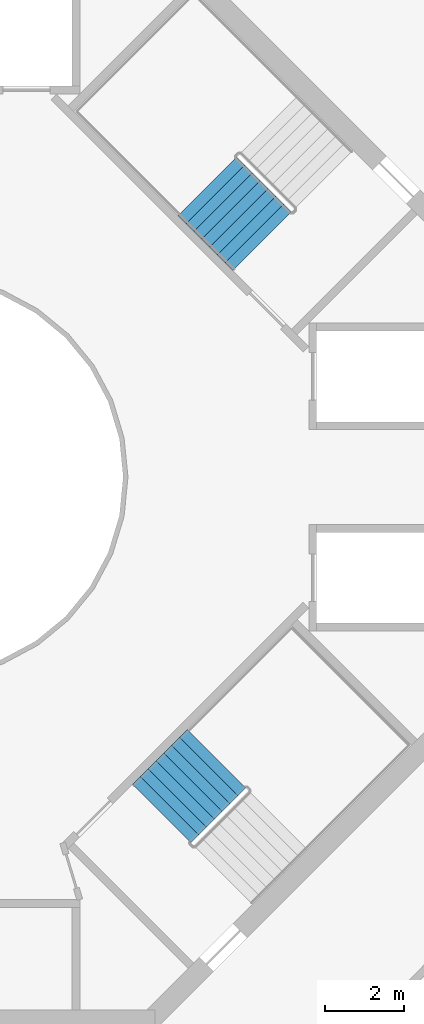
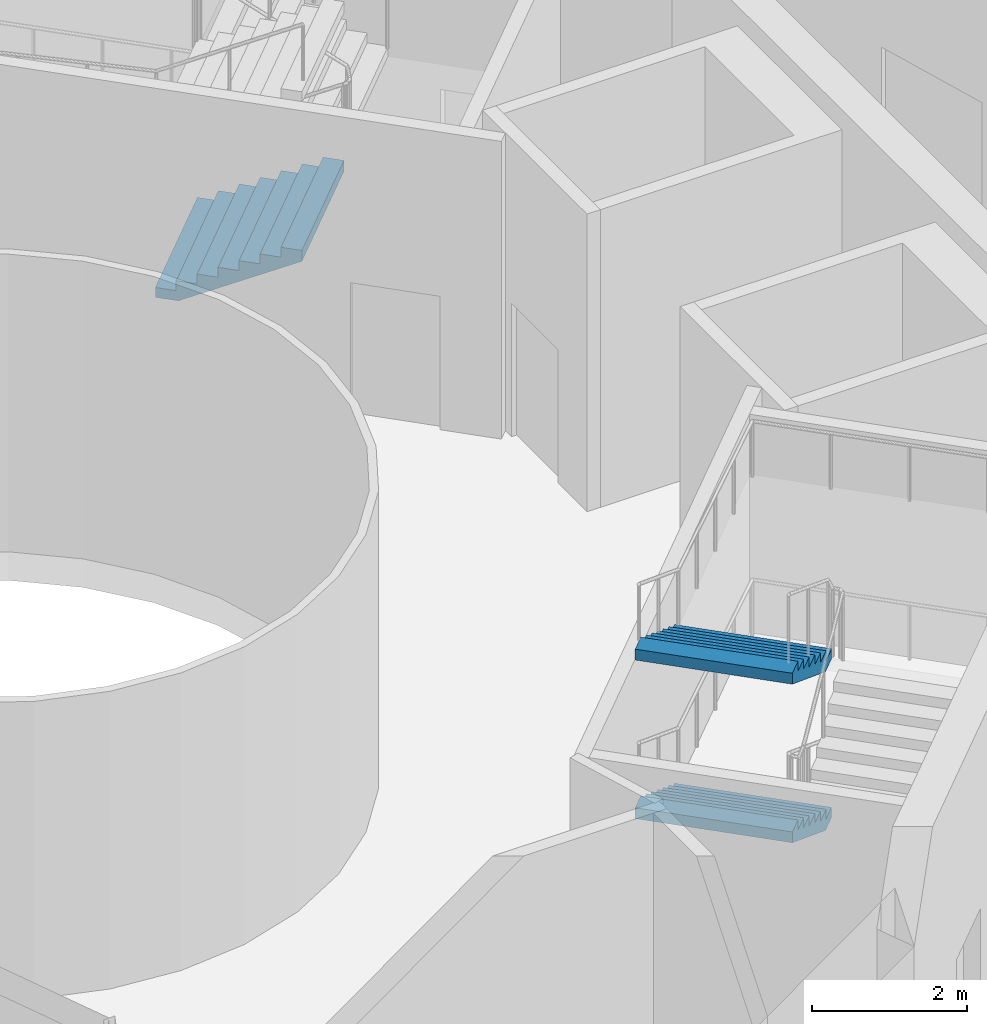
# One storey, part 14 of 17: 3 stair flights, 2 elements without a shape of their own.
"""IFC4 building model written with IfcOpenShell, lengths in metres."""

from ifc_helpers import new_model, si_unit, direction, frame, origin, place, context, subcontext, project, spatial, triangles, material, type_object, element, aggregate, save


model = new_model("IFC4")

# Units and contexts
model_context = context("Model", 3, precision=1e-05, world=origin(), true_north=direction((0.0, 1.0)))
body_context = subcontext(model_context, "Body", "Model", "MODEL_VIEW")
ifc_project = project(units=[si_unit("LENGTHUNIT", "METRE"), si_unit("AREAUNIT", "SQUARE_METRE"), si_unit("VOLUMEUNIT", "CUBIC_METRE"), si_unit("PLANEANGLEUNIT", "RADIAN"), si_unit("MASSUNIT", "GRAM", prefix="KILO")], contexts=[model_context])

# Site, building, storey
site_placement = place(None, origin())
site = spatial("IfcSite", under=ifc_project, at=site_placement, CompositionType="ELEMENT")
building_placement = place(site_placement, origin())
building = spatial("IfcBuilding", under=site, at=building_placement, Name="Verdalira Terraces Hotel", CompositionType="ELEMENT")
storey_placement = place(building_placement, frame((0.0, 0.0, 222.0)))
storey = spatial("IfcBuildingStorey", under=building, at=storey_placement, Name="L54", CompositionType="ELEMENT", Elevation=222.0)

# Stair, stair flight
ifc_material_1 = material(Name="Concrete C40", Category="concrete")
stair_type = type_object("IfcStairType", Name="Core stair 32 risers 2100 mm wide", PredefinedType="HALF_TURN_STAIR", material=ifc_material_1)
stair_1_placement = place(storey_placement, origin())
stair_1 = element("IfcStair", 1, at=stair_1_placement, inside=storey, type_object=stair_type, Name="L54 Exit stair ST1", PredefinedType="HALF_TURN_STAIR")
ifc_material_2 = material(Name="Concrete C40", Category="concrete")
stair_flight_type = type_object("IfcStairFlightType", Name="Core stair flight 32 risers 2100 mm wide", PredefinedType="STRAIGHT", material=ifc_material_2)
stair_flight_1_placement = place(storey_placement, frame((7.134766, 7.361084, 1.25), z_axis=(0.0, 0.0, 1.0), x_axis=(0.707106781, -0.707106781, 0.0)))
stair_flight_1 = element("IfcStairFlight", 2, at=stair_flight_1_placement, type_object=stair_flight_type, Name="ST1 flight 2", NumberOfRisers=8, NumberOfTreads=7, PredefinedType="STRAIGHT", RiserHeight=0.15625, TreadLength=0.28, context=body_context, shape_type="Tessellation", body=[
    triangles([(0.0, 1.050049, 0.0), (0.307617, 1.050049, 0.0), (1.959961, 1.050049, 0.922119), (0.0, -1.050049, 0.0), (0.307617, -1.050049, 0.0), (1.959961, -1.050049, 0.922119), (1.959961, 1.050049, 1.09375), (1.679932, 1.050049, 1.09375), (1.959961, -1.050049, 1.09375), (1.679932, -1.050049, 1.09375), (1.679932, 1.050049, 0.9375), (1.679932, -1.050049, 0.9375), (1.399902, 1.050049, 0.9375), (1.399902, -1.050049, 0.9375), (1.399902, 1.050049, 0.78125), (1.399902, -1.050049, 0.78125), (1.120117, 1.050049, 0.78125), (1.120117, 1.050049, 0.625), (1.120117, -1.050049, 0.78125), (1.120117, -1.050049, 0.625), (0.840088, 1.050049, 0.625), (0.840088, 1.050049, 0.46875), (0.840088, -1.050049, 0.625), (0.840088, -1.050049, 0.46875), (0.560059, 1.050049, 0.46875), (0.560059, 1.050049, 0.3125), (0.560059, -1.050049, 0.46875), (0.560059, -1.050049, 0.3125), (0.280029, 1.050049, 0.3125), (0.280029, 1.050049, 0.15625), (0.280029, -1.050049, 0.3125), (0.280029, -1.050049, 0.15625), (0.0, 1.050049, 0.15625), (0.0, -1.050049, 0.15625), (0.0, -0.984421, 0.0), (0.0, -0.984421, 0.15625), (0.0, -0.918793, 0.0), (0.0, -0.918793, 0.15625), (0.0, -0.853165, 0.0), (0.0, -0.853165, 0.15625), (0.0, -0.787537, 0.0), (0.0, -0.787537, 0.15625), (0.0, -0.721909, 0.0), (0.0, -0.721909, 0.15625), (0.0, -0.656281, 0.0), (0.0, -0.656281, 0.15625), (0.0, -0.590652, 0.0), (0.0, -0.590652, 0.15625), (0.0, -0.525024, 0.0), (0.0, -0.525024, 0.15625), (0.0, -0.459396, 0.0), (0.0, -0.459396, 0.15625), (0.0, -0.393768, 0.0), (0.0, -0.393768, 0.15625), (0.0, -0.32814, 0.0), (0.0, -0.32814, 0.15625), (0.0, -0.262512, 0.0), (0.0, -0.262512, 0.15625), (0.0, -0.196884, 0.0), (0.0, -0.196884, 0.15625), (0.0, -0.131256, 0.0), (0.0, -0.131256, 0.15625), (0.0, -0.065628, 0.0), (0.0, -0.065628, 0.15625), (0.0, 0.0, 0.0), (0.0, 0.0, 0.15625), (0.0, 0.065628, 0.0), (0.0, 0.065628, 0.15625), (0.0, 0.131256, 0.0), (0.0, 0.131256, 0.15625), (0.0, 0.196884, 0.0), (0.0, 0.196884, 0.15625), (0.0, 0.262512, 0.0), (0.0, 0.262512, 0.15625), (0.0, 0.32814, 0.0), (0.0, 0.32814, 0.15625), (0.0, 0.393768, 0.0), (0.0, 0.393768, 0.15625), (0.0, 0.459396, 0.0), (0.0, 0.459396, 0.15625), (0.0, 0.525024, 0.0), (0.0, 0.525024, 0.15625), (0.0, 0.590652, 0.0), (0.0, 0.590652, 0.15625), (0.0, 0.656281, 0.0), (0.0, 0.656281, 0.15625), (0.0, 0.721909, 0.0), (0.0, 0.721909, 0.15625), (0.0, 0.787537, 0.0), (0.0, 0.787537, 0.15625), (0.0, 0.853165, 0.0), (0.0, 0.853165, 0.15625), (0.0, 0.918793, 0.0), (0.0, 0.918793, 0.15625), (0.0, 0.984421, 0.0), (0.0, 0.984421, 0.15625), (1.959961, -0.984421, 1.09375), (1.959961, -0.918793, 1.09375), (1.959961, -0.853165, 1.09375), (1.959961, -0.787537, 1.09375), (1.959961, -0.721909, 1.09375), (1.959961, -0.656281, 1.09375), (1.959961, -0.590652, 1.09375), (1.959961, -0.525024, 1.09375), (1.959961, -0.459396, 1.09375), (1.959961, -0.393768, 1.09375), (1.959961, -0.32814, 1.09375), (1.959961, -0.262512, 1.09375), (1.959961, -0.196884, 1.09375), (1.959961, -0.131256, 1.09375), (1.959961, -0.065628, 1.09375), (1.959961, 0.0, 1.09375), (1.959961, 0.065628, 1.09375), (1.959961, 0.131256, 1.09375), (1.959961, 0.196884, 1.09375), (1.959961, 0.262512, 1.09375), (1.959961, 0.32814, 1.09375), (1.959961, 0.393768, 1.09375), (1.959961, 0.459396, 1.09375), (1.959961, 0.525024, 1.09375), (1.959961, 0.590652, 1.09375), (1.959961, 0.656281, 1.09375), (1.959961, 0.721909, 1.09375), (1.959961, 0.787537, 1.09375), (1.959961, 0.853165, 1.09375), (1.959961, 0.918793, 1.09375), (1.959961, 0.984421, 1.09375), (1.959961, -0.984421, 0.922119), (1.959961, -0.918793, 0.922119), (1.959961, -0.853165, 0.922119), (1.959961, -0.787537, 0.922119), (1.959961, -0.721909, 0.922119), (1.959961, -0.656281, 0.922119), (1.959961, -0.590652, 0.922119), (1.959961, -0.525024, 0.922119), (1.959961, -0.459396, 0.922119), (1.959961, -0.393768, 0.922119), (1.959961, -0.32814, 0.922119), (1.959961, -0.262512, 0.922119), (1.959961, -0.196884, 0.922119), (1.959961, -0.131256, 0.922119), (1.959961, -0.065628, 0.922119), (1.959961, 0.0, 0.922119), (1.959961, 0.065628, 0.922119), (1.959961, 0.131256, 0.922119), (1.959961, 0.196884, 0.922119), (1.959961, 0.262512, 0.922119), (1.959961, 0.32814, 0.922119), (1.959961, 0.393768, 0.922119), (1.959961, 0.459396, 0.922119), (1.959961, 0.525024, 0.922119), (1.959961, 0.590652, 0.922119), (1.959961, 0.656281, 0.922119), (1.959961, 0.721909, 0.922119), (1.959961, 0.787537, 0.922119), (1.959961, 0.853165, 0.922119), (1.959961, 0.918793, 0.922119), (1.959961, 0.984421, 0.922119)], [[1, 3, 2], [4, 5, 6], [3, 8, 7], [6, 9, 10], [3, 11, 8], [6, 10, 12], [3, 13, 11], [6, 12, 14], [3, 15, 13], [6, 14, 16], [15, 18, 17], [16, 19, 20], [3, 18, 15], [6, 16, 20], [18, 22, 21], [20, 23, 24], [3, 22, 18], [6, 20, 24], [22, 26, 25], [24, 27, 28], [3, 26, 22], [6, 24, 28], [26, 30, 29], [28, 31, 32], [3, 30, 26], [6, 28, 32], [1, 30, 3], [4, 6, 32], [30, 1, 33], [32, 34, 4], [4, 36, 35], [4, 34, 36], [35, 38, 37], [35, 36, 38], [37, 40, 39], [37, 38, 40], [39, 42, 41], [39, 40, 42], [41, 44, 43], [41, 42, 44], [43, 46, 45], [43, 44, 46], [45, 48, 47], [45, 46, 48], [47, 50, 49], [47, 48, 50], [49, 52, 51], [49, 50, 52], [51, 54, 53], [51, 52, 54], [53, 56, 55], [53, 54, 56], [55, 58, 57], [55, 56, 58], [57, 60, 59], [57, 58, 60], [59, 62, 61], [59, 60, 62], [61, 64, 63], [61, 62, 64], [63, 66, 65], [63, 64, 66], [65, 68, 67], [65, 66, 68], [67, 70, 69], [67, 68, 70], [69, 72, 71], [69, 70, 72], [71, 74, 73], [71, 72, 74], [73, 76, 75], [73, 74, 76], [75, 78, 77], [75, 76, 78], [77, 80, 79], [77, 78, 80], [79, 82, 81], [79, 80, 82], [81, 84, 83], [81, 82, 84], [83, 86, 85], [83, 84, 86], [85, 88, 87], [85, 86, 88], [87, 90, 89], [87, 88, 90], [89, 92, 91], [89, 90, 92], [91, 94, 93], [91, 92, 94], [93, 96, 95], [93, 94, 96], [95, 33, 1], [95, 96, 33], [34, 32, 36], [36, 32, 38], [38, 32, 40], [40, 32, 42], [42, 32, 44], [44, 32, 46], [46, 32, 48], [48, 32, 50], [50, 32, 52], [52, 32, 54], [54, 32, 56], [56, 32, 58], [58, 32, 60], [60, 32, 62], [62, 32, 64], [64, 32, 66], [66, 32, 68], [68, 32, 70], [70, 32, 72], [72, 32, 74], [74, 32, 76], [76, 32, 78], [78, 32, 80], [80, 32, 82], [82, 32, 84], [84, 32, 86], [86, 32, 88], [88, 32, 90], [90, 32, 92], [92, 32, 94], [94, 32, 96], [96, 32, 33], [33, 32, 30], [32, 29, 30], [32, 31, 29], [31, 26, 29], [31, 28, 26], [28, 25, 26], [28, 27, 25], [27, 22, 25], [27, 24, 22], [24, 21, 22], [24, 23, 21], [23, 18, 21], [23, 20, 18], [20, 17, 18], [20, 19, 17], [19, 15, 17], [19, 16, 15], [16, 13, 15], [16, 14, 13], [14, 11, 13], [14, 12, 11], [12, 8, 11], [12, 10, 8], [9, 97, 10], [97, 98, 10], [98, 99, 10], [99, 100, 10], [100, 101, 10], [101, 102, 10], [102, 103, 10], [103, 104, 10], [104, 105, 10], [105, 106, 10], [106, 107, 10], [107, 108, 10], [108, 109, 10], [109, 110, 10], [110, 111, 10], [111, 112, 10], [112, 113, 10], [113, 114, 10], [114, 115, 10], [115, 116, 10], [116, 117, 10], [117, 118, 10], [118, 119, 10], [119, 120, 10], [120, 121, 10], [121, 122, 10], [122, 123, 10], [123, 124, 10], [124, 125, 10], [125, 126, 10], [126, 127, 10], [127, 7, 10], [7, 8, 10], [9, 128, 97], [9, 6, 128], [97, 129, 98], [97, 128, 129], [98, 130, 99], [98, 129, 130], [99, 131, 100], [99, 130, 131], [100, 132, 101], [100, 131, 132], [101, 133, 102], [101, 132, 133], [102, 134, 103], [102, 133, 134], [103, 135, 104], [103, 134, 135], [104, 136, 105], [104, 135, 136], [105, 137, 106], [105, 136, 137], [106, 138, 107], [106, 137, 138], [107, 139, 108], [107, 138, 139], [108, 140, 109], [108, 139, 140], [109, 141, 110], [109, 140, 141], [110, 142, 111], [110, 141, 142], [111, 143, 112], [111, 142, 143], [112, 144, 113], [112, 143, 144], [113, 145, 114], [113, 144, 145], [114, 146, 115], [114, 145, 146], [115, 147, 116], [115, 146, 147], [116, 148, 117], [116, 147, 148], [117, 149, 118], [117, 148, 149], [118, 150, 119], [118, 149, 150], [119, 151, 120], [119, 150, 151], [120, 152, 121], [120, 151, 152], [121, 153, 122], [121, 152, 153], [122, 154, 123], [122, 153, 154], [123, 155, 124], [123, 154, 155], [124, 156, 125], [124, 155, 156], [125, 157, 126], [125, 156, 157], [126, 158, 127], [126, 157, 158], [127, 3, 7], [127, 158, 3], [6, 5, 128], [128, 5, 129], [129, 5, 130], [130, 5, 131], [131, 5, 132], [132, 5, 133], [133, 5, 134], [134, 5, 135], [135, 5, 136], [136, 5, 137], [137, 5, 138], [138, 5, 139], [139, 5, 140], [140, 5, 141], [141, 5, 142], [142, 5, 143], [143, 5, 144], [144, 5, 145], [145, 5, 146], [146, 5, 147], [147, 5, 148], [148, 5, 149], [149, 5, 150], [150, 5, 151], [151, 5, 152], [152, 5, 153], [153, 5, 154], [154, 5, 155], [155, 5, 156], [156, 5, 157], [157, 5, 158], [158, 5, 3], [3, 5, 2], [4, 35, 5], [35, 37, 5], [37, 39, 5], [39, 41, 5], [41, 43, 5], [43, 45, 5], [45, 47, 5], [47, 49, 5], [49, 51, 5], [51, 53, 5], [53, 55, 5], [55, 57, 5], [57, 59, 5], [59, 61, 5], [61, 63, 5], [63, 65, 5], [65, 67, 5], [67, 69, 5], [69, 71, 5], [71, 73, 5], [73, 75, 5], [75, 77, 5], [77, 79, 5], [79, 81, 5], [81, 83, 5], [83, 85, 5], [85, 87, 5], [87, 89, 5], [89, 91, 5], [91, 93, 5], [93, 95, 5], [95, 1, 5], [1, 2, 5]], closed=True),
])
aggregate(stair_1, [stair_flight_1])

# Stair, stair flights
stair_2_placement = place(storey_placement, origin())
stair_2 = element("IfcStair", 3, at=stair_2_placement, inside=storey, type_object=stair_type, Name="L54 Exit stair ST3", PredefinedType="HALF_TURN_STAIR")
stair_flight_2_placement = place(storey_placement, frame((7.361084, -7.134766, 1.25), z_axis=(0.0, 0.0, 1.0), x_axis=(-0.707106781, -0.707106781, 0.0)))
stair_flight_2 = element("IfcStairFlight", 4, at=stair_flight_2_placement, type_object=stair_flight_type, Name="ST3 flight 2", NumberOfRisers=8, NumberOfTreads=7, PredefinedType="STRAIGHT", RiserHeight=0.15625, TreadLength=0.28, context=body_context, shape_type="Tessellation", body=[
    triangles([(0.0, 1.050049, 0.0), (0.307617, 1.050049, 0.0), (1.959961, 1.050049, 0.922119), (0.0, -1.050049, 0.0), (0.307617, -1.050049, 0.0), (1.959961, -1.050049, 0.922119), (1.959961, 1.050049, 1.09375), (1.679932, 1.050049, 1.09375), (1.959961, -1.050049, 1.09375), (1.679932, -1.050049, 1.09375), (1.679932, 1.050049, 0.9375), (1.679932, -1.050049, 0.9375), (1.399902, 1.050049, 0.9375), (1.399902, -1.050049, 0.9375), (1.399902, 1.050049, 0.78125), (1.399902, -1.050049, 0.78125), (1.120117, 1.050049, 0.78125), (1.120117, 1.050049, 0.625), (1.120117, -1.050049, 0.78125), (1.120117, -1.050049, 0.625), (0.840088, 1.050049, 0.625), (0.840088, 1.050049, 0.46875), (0.840088, -1.050049, 0.625), (0.840088, -1.050049, 0.46875), (0.560059, 1.050049, 0.46875), (0.560059, 1.050049, 0.3125), (0.560059, -1.050049, 0.46875), (0.560059, -1.050049, 0.3125), (0.280029, 1.050049, 0.3125), (0.280029, 1.050049, 0.15625), (0.280029, -1.050049, 0.3125), (0.280029, -1.050049, 0.15625), (0.0, 1.050049, 0.15625), (0.0, -1.050049, 0.15625), (0.0, -0.984421, 0.0), (0.0, -0.984421, 0.15625), (0.0, -0.918793, 0.0), (0.0, -0.918793, 0.15625), (0.0, -0.853165, 0.0), (0.0, -0.853165, 0.15625), (0.0, -0.787537, 0.0), (0.0, -0.787537, 0.15625), (0.0, -0.721909, 0.0), (0.0, -0.721909, 0.15625), (0.0, -0.656281, 0.0), (0.0, -0.656281, 0.15625), (0.0, -0.590652, 0.0), (0.0, -0.590652, 0.15625), (0.0, -0.525024, 0.0), (0.0, -0.525024, 0.15625), (0.0, -0.459396, 0.0), (0.0, -0.459396, 0.15625), (0.0, -0.393768, 0.0), (0.0, -0.393768, 0.15625), (0.0, -0.32814, 0.0), (0.0, -0.32814, 0.15625), (0.0, -0.262512, 0.0), (0.0, -0.262512, 0.15625), (0.0, -0.196884, 0.0), (0.0, -0.196884, 0.15625), (0.0, -0.131256, 0.0), (0.0, -0.131256, 0.15625), (0.0, -0.065628, 0.0), (0.0, -0.065628, 0.15625), (0.0, 0.0, 0.0), (0.0, 0.0, 0.15625), (0.0, 0.065628, 0.0), (0.0, 0.065628, 0.15625), (0.0, 0.131256, 0.0), (0.0, 0.131256, 0.15625), (0.0, 0.196884, 0.0), (0.0, 0.196884, 0.15625), (0.0, 0.262512, 0.0), (0.0, 0.262512, 0.15625), (0.0, 0.32814, 0.0), (0.0, 0.32814, 0.15625), (0.0, 0.393768, 0.0), (0.0, 0.393768, 0.15625), (0.0, 0.459396, 0.0), (0.0, 0.459396, 0.15625), (0.0, 0.525024, 0.0), (0.0, 0.525024, 0.15625), (0.0, 0.590652, 0.0), (0.0, 0.590652, 0.15625), (0.0, 0.656281, 0.0), (0.0, 0.656281, 0.15625), (0.0, 0.721909, 0.0), (0.0, 0.721909, 0.15625), (0.0, 0.787537, 0.0), (0.0, 0.787537, 0.15625), (0.0, 0.853165, 0.0), (0.0, 0.853165, 0.15625), (0.0, 0.918793, 0.0), (0.0, 0.918793, 0.15625), (0.0, 0.984421, 0.0), (0.0, 0.984421, 0.15625), (1.959961, -0.984421, 1.09375), (1.959961, -0.918793, 1.09375), (1.959961, -0.853165, 1.09375), (1.959961, -0.787537, 1.09375), (1.959961, -0.721909, 1.09375), (1.959961, -0.656281, 1.09375), (1.959961, -0.590652, 1.09375), (1.959961, -0.525024, 1.09375), (1.959961, -0.459396, 1.09375), (1.959961, -0.393768, 1.09375), (1.959961, -0.32814, 1.09375), (1.959961, -0.262512, 1.09375), (1.959961, -0.196884, 1.09375), (1.959961, -0.131256, 1.09375), (1.959961, -0.065628, 1.09375), (1.959961, 0.0, 1.09375), (1.959961, 0.065628, 1.09375), (1.959961, 0.131256, 1.09375), (1.959961, 0.196884, 1.09375), (1.959961, 0.262512, 1.09375), (1.959961, 0.32814, 1.09375), (1.959961, 0.393768, 1.09375), (1.959961, 0.459396, 1.09375), (1.959961, 0.525024, 1.09375), (1.959961, 0.590652, 1.09375), (1.959961, 0.656281, 1.09375), (1.959961, 0.721909, 1.09375), (1.959961, 0.787537, 1.09375), (1.959961, 0.853165, 1.09375), (1.959961, 0.918793, 1.09375), (1.959961, 0.984421, 1.09375), (1.959961, -0.984421, 0.922119), (1.959961, -0.918793, 0.922119), (1.959961, -0.853165, 0.922119), (1.959961, -0.787537, 0.922119), (1.959961, -0.721909, 0.922119), (1.959961, -0.656281, 0.922119), (1.959961, -0.590652, 0.922119), (1.959961, -0.525024, 0.922119), (1.959961, -0.459396, 0.922119), (1.959961, -0.393768, 0.922119), (1.959961, -0.32814, 0.922119), (1.959961, -0.262512, 0.922119), (1.959961, -0.196884, 0.922119), (1.959961, -0.131256, 0.922119), (1.959961, -0.065628, 0.922119), (1.959961, 0.0, 0.922119), (1.959961, 0.065628, 0.922119), (1.959961, 0.131256, 0.922119), (1.959961, 0.196884, 0.922119), (1.959961, 0.262512, 0.922119), (1.959961, 0.32814, 0.922119), (1.959961, 0.393768, 0.922119), (1.959961, 0.459396, 0.922119), (1.959961, 0.525024, 0.922119), (1.959961, 0.590652, 0.922119), (1.959961, 0.656281, 0.922119), (1.959961, 0.721909, 0.922119), (1.959961, 0.787537, 0.922119), (1.959961, 0.853165, 0.922119), (1.959961, 0.918793, 0.922119), (1.959961, 0.984421, 0.922119)], [[1, 3, 2], [4, 5, 6], [3, 8, 7], [6, 9, 10], [3, 11, 8], [6, 10, 12], [3, 13, 11], [6, 12, 14], [3, 15, 13], [6, 14, 16], [15, 18, 17], [16, 19, 20], [3, 18, 15], [6, 16, 20], [18, 22, 21], [20, 23, 24], [3, 22, 18], [6, 20, 24], [22, 26, 25], [24, 27, 28], [3, 26, 22], [6, 24, 28], [26, 30, 29], [28, 31, 32], [3, 30, 26], [6, 28, 32], [1, 30, 3], [4, 6, 32], [30, 1, 33], [32, 34, 4], [4, 36, 35], [4, 34, 36], [35, 38, 37], [35, 36, 38], [37, 40, 39], [37, 38, 40], [39, 42, 41], [39, 40, 42], [41, 44, 43], [41, 42, 44], [43, 46, 45], [43, 44, 46], [45, 48, 47], [45, 46, 48], [47, 50, 49], [47, 48, 50], [49, 52, 51], [49, 50, 52], [51, 54, 53], [51, 52, 54], [53, 56, 55], [53, 54, 56], [55, 58, 57], [55, 56, 58], [57, 60, 59], [57, 58, 60], [59, 62, 61], [59, 60, 62], [61, 64, 63], [61, 62, 64], [63, 66, 65], [63, 64, 66], [65, 68, 67], [65, 66, 68], [67, 70, 69], [67, 68, 70], [69, 72, 71], [69, 70, 72], [71, 74, 73], [71, 72, 74], [73, 76, 75], [73, 74, 76], [75, 78, 77], [75, 76, 78], [77, 80, 79], [77, 78, 80], [79, 82, 81], [79, 80, 82], [81, 84, 83], [81, 82, 84], [83, 86, 85], [83, 84, 86], [85, 88, 87], [85, 86, 88], [87, 90, 89], [87, 88, 90], [89, 92, 91], [89, 90, 92], [91, 94, 93], [91, 92, 94], [93, 96, 95], [93, 94, 96], [95, 33, 1], [95, 96, 33], [34, 32, 36], [36, 32, 38], [38, 32, 40], [40, 32, 42], [42, 32, 44], [44, 32, 46], [46, 32, 48], [48, 32, 50], [50, 32, 52], [52, 32, 54], [54, 32, 56], [56, 32, 58], [58, 32, 60], [60, 32, 62], [62, 32, 64], [64, 32, 66], [66, 32, 68], [68, 32, 70], [70, 32, 72], [72, 32, 74], [74, 32, 76], [76, 32, 78], [78, 32, 80], [80, 32, 82], [82, 32, 84], [84, 32, 86], [86, 32, 88], [88, 32, 90], [90, 32, 92], [92, 32, 94], [94, 32, 96], [96, 32, 33], [33, 32, 30], [32, 29, 30], [32, 31, 29], [31, 26, 29], [31, 28, 26], [28, 25, 26], [28, 27, 25], [27, 22, 25], [27, 24, 22], [24, 21, 22], [24, 23, 21], [23, 18, 21], [23, 20, 18], [20, 17, 18], [20, 19, 17], [19, 15, 17], [19, 16, 15], [16, 13, 15], [16, 14, 13], [14, 11, 13], [14, 12, 11], [12, 8, 11], [12, 10, 8], [9, 97, 10], [97, 98, 10], [98, 99, 10], [99, 100, 10], [100, 101, 10], [101, 102, 10], [102, 103, 10], [103, 104, 10], [104, 105, 10], [105, 106, 10], [106, 107, 10], [107, 108, 10], [108, 109, 10], [109, 110, 10], [110, 111, 10], [111, 112, 10], [112, 113, 10], [113, 114, 10], [114, 115, 10], [115, 116, 10], [116, 117, 10], [117, 118, 10], [118, 119, 10], [119, 120, 10], [120, 121, 10], [121, 122, 10], [122, 123, 10], [123, 124, 10], [124, 125, 10], [125, 126, 10], [126, 127, 10], [127, 7, 10], [7, 8, 10], [9, 128, 97], [9, 6, 128], [97, 129, 98], [97, 128, 129], [98, 130, 99], [98, 129, 130], [99, 131, 100], [99, 130, 131], [100, 132, 101], [100, 131, 132], [101, 133, 102], [101, 132, 133], [102, 134, 103], [102, 133, 134], [103, 135, 104], [103, 134, 135], [104, 136, 105], [104, 135, 136], [105, 137, 106], [105, 136, 137], [106, 138, 107], [106, 137, 138], [107, 139, 108], [107, 138, 139], [108, 140, 109], [108, 139, 140], [109, 141, 110], [109, 140, 141], [110, 142, 111], [110, 141, 142], [111, 143, 112], [111, 142, 143], [112, 144, 113], [112, 143, 144], [113, 145, 114], [113, 144, 145], [114, 146, 115], [114, 145, 146], [115, 147, 116], [115, 146, 147], [116, 148, 117], [116, 147, 148], [117, 149, 118], [117, 148, 149], [118, 150, 119], [118, 149, 150], [119, 151, 120], [119, 150, 151], [120, 152, 121], [120, 151, 152], [121, 153, 122], [121, 152, 153], [122, 154, 123], [122, 153, 154], [123, 155, 124], [123, 154, 155], [124, 156, 125], [124, 155, 156], [125, 157, 126], [125, 156, 157], [126, 158, 127], [126, 157, 158], [127, 3, 7], [127, 158, 3], [6, 5, 128], [128, 5, 129], [129, 5, 130], [130, 5, 131], [131, 5, 132], [132, 5, 133], [133, 5, 134], [134, 5, 135], [135, 5, 136], [136, 5, 137], [137, 5, 138], [138, 5, 139], [139, 5, 140], [140, 5, 141], [141, 5, 142], [142, 5, 143], [143, 5, 144], [144, 5, 145], [145, 5, 146], [146, 5, 147], [147, 5, 148], [148, 5, 149], [149, 5, 150], [150, 5, 151], [151, 5, 152], [152, 5, 153], [153, 5, 154], [154, 5, 155], [155, 5, 156], [156, 5, 157], [157, 5, 158], [158, 5, 3], [3, 5, 2], [4, 35, 5], [35, 37, 5], [37, 39, 5], [39, 41, 5], [41, 43, 5], [43, 45, 5], [45, 47, 5], [47, 49, 5], [49, 51, 5], [51, 53, 5], [53, 55, 5], [55, 57, 5], [57, 59, 5], [59, 61, 5], [61, 63, 5], [63, 65, 5], [65, 67, 5], [67, 69, 5], [69, 71, 5], [71, 73, 5], [73, 75, 5], [75, 77, 5], [77, 79, 5], [79, 81, 5], [81, 83, 5], [83, 85, 5], [85, 87, 5], [87, 89, 5], [89, 91, 5], [91, 93, 5], [93, 95, 5], [95, 1, 5], [1, 2, 5]], closed=True),
])
stair_flight_3_placement = place(storey_placement, frame((7.361084, -7.134766, 3.75), z_axis=(0.0, 0.0, 1.0), x_axis=(-0.707106781, -0.707106781, 0.0)))
stair_flight_3 = element("IfcStairFlight", 5, at=stair_flight_3_placement, type_object=stair_flight_type, Name="ST3 flight 4", NumberOfRisers=8, NumberOfTreads=7, PredefinedType="STRAIGHT", RiserHeight=0.15625, TreadLength=0.28, context=body_context, shape_type="Tessellation", body=[
    triangles([(0.0, 1.050049, 0.0), (0.307617, 1.050049, 0.0), (1.959961, 1.050049, 0.922119), (0.0, -1.050049, 0.0), (0.307617, -1.050049, 0.0), (1.959961, -1.050049, 0.922119), (1.959961, 1.050049, 1.09375), (1.679932, 1.050049, 1.09375), (1.959961, -1.050049, 1.09375), (1.679932, -1.050049, 1.09375), (1.679932, 1.050049, 0.9375), (1.679932, -1.050049, 0.9375), (1.399902, 1.050049, 0.9375), (1.399902, -1.050049, 0.9375), (1.399902, 1.050049, 0.78125), (1.399902, -1.050049, 0.78125), (1.120117, 1.050049, 0.78125), (1.120117, 1.050049, 0.625), (1.120117, -1.050049, 0.78125), (1.120117, -1.050049, 0.625), (0.840088, 1.050049, 0.625), (0.840088, 1.050049, 0.46875), (0.840088, -1.050049, 0.625), (0.840088, -1.050049, 0.46875), (0.560059, 1.050049, 0.46875), (0.560059, 1.050049, 0.3125), (0.560059, -1.050049, 0.46875), (0.560059, -1.050049, 0.3125), (0.280029, 1.050049, 0.3125), (0.280029, 1.050049, 0.15625), (0.280029, -1.050049, 0.3125), (0.280029, -1.050049, 0.15625), (0.0, 1.050049, 0.15625), (0.0, -1.050049, 0.15625), (0.0, -0.984421, 0.0), (0.0, -0.984421, 0.15625), (0.0, -0.918793, 0.0), (0.0, -0.918793, 0.15625), (0.0, -0.853165, 0.0), (0.0, -0.853165, 0.15625), (0.0, -0.787537, 0.0), (0.0, -0.787537, 0.15625), (0.0, -0.721909, 0.0), (0.0, -0.721909, 0.15625), (0.0, -0.656281, 0.0), (0.0, -0.656281, 0.15625), (0.0, -0.590652, 0.0), (0.0, -0.590652, 0.15625), (0.0, -0.525024, 0.0), (0.0, -0.525024, 0.15625), (0.0, -0.459396, 0.0), (0.0, -0.459396, 0.15625), (0.0, -0.393768, 0.0), (0.0, -0.393768, 0.15625), (0.0, -0.32814, 0.0), (0.0, -0.32814, 0.15625), (0.0, -0.262512, 0.0), (0.0, -0.262512, 0.15625), (0.0, -0.196884, 0.0), (0.0, -0.196884, 0.15625), (0.0, -0.131256, 0.0), (0.0, -0.131256, 0.15625), (0.0, -0.065628, 0.0), (0.0, -0.065628, 0.15625), (0.0, 0.0, 0.0), (0.0, 0.0, 0.15625), (0.0, 0.065628, 0.0), (0.0, 0.065628, 0.15625), (0.0, 0.131256, 0.0), (0.0, 0.131256, 0.15625), (0.0, 0.196884, 0.0), (0.0, 0.196884, 0.15625), (0.0, 0.262512, 0.0), (0.0, 0.262512, 0.15625), (0.0, 0.32814, 0.0), (0.0, 0.32814, 0.15625), (0.0, 0.393768, 0.0), (0.0, 0.393768, 0.15625), (0.0, 0.459396, 0.0), (0.0, 0.459396, 0.15625), (0.0, 0.525024, 0.0), (0.0, 0.525024, 0.15625), (0.0, 0.590652, 0.0), (0.0, 0.590652, 0.15625), (0.0, 0.656281, 0.0), (0.0, 0.656281, 0.15625), (0.0, 0.721909, 0.0), (0.0, 0.721909, 0.15625), (0.0, 0.787537, 0.0), (0.0, 0.787537, 0.15625), (0.0, 0.853165, 0.0), (0.0, 0.853165, 0.15625), (0.0, 0.918793, 0.0), (0.0, 0.918793, 0.15625), (0.0, 0.984421, 0.0), (0.0, 0.984421, 0.15625), (1.959961, -0.984421, 1.09375), (1.959961, -0.918793, 1.09375), (1.959961, -0.853165, 1.09375), (1.959961, -0.787537, 1.09375), (1.959961, -0.721909, 1.09375), (1.959961, -0.656281, 1.09375), (1.959961, -0.590652, 1.09375), (1.959961, -0.525024, 1.09375), (1.959961, -0.459396, 1.09375), (1.959961, -0.393768, 1.09375), (1.959961, -0.32814, 1.09375), (1.959961, -0.262512, 1.09375), (1.959961, -0.196884, 1.09375), (1.959961, -0.131256, 1.09375), (1.959961, -0.065628, 1.09375), (1.959961, 0.0, 1.09375), (1.959961, 0.065628, 1.09375), (1.959961, 0.131256, 1.09375), (1.959961, 0.196884, 1.09375), (1.959961, 0.262512, 1.09375), (1.959961, 0.32814, 1.09375), (1.959961, 0.393768, 1.09375), (1.959961, 0.459396, 1.09375), (1.959961, 0.525024, 1.09375), (1.959961, 0.590652, 1.09375), (1.959961, 0.656281, 1.09375), (1.959961, 0.721909, 1.09375), (1.959961, 0.787537, 1.09375), (1.959961, 0.853165, 1.09375), (1.959961, 0.918793, 1.09375), (1.959961, 0.984421, 1.09375), (1.959961, -0.984421, 0.922119), (1.959961, -0.918793, 0.922119), (1.959961, -0.853165, 0.922119), (1.959961, -0.787537, 0.922119), (1.959961, -0.721909, 0.922119), (1.959961, -0.656281, 0.922119), (1.959961, -0.590652, 0.922119), (1.959961, -0.525024, 0.922119), (1.959961, -0.459396, 0.922119), (1.959961, -0.393768, 0.922119), (1.959961, -0.32814, 0.922119), (1.959961, -0.262512, 0.922119), (1.959961, -0.196884, 0.922119), (1.959961, -0.131256, 0.922119), (1.959961, -0.065628, 0.922119), (1.959961, 0.0, 0.922119), (1.959961, 0.065628, 0.922119), (1.959961, 0.131256, 0.922119), (1.959961, 0.196884, 0.922119), (1.959961, 0.262512, 0.922119), (1.959961, 0.32814, 0.922119), (1.959961, 0.393768, 0.922119), (1.959961, 0.459396, 0.922119), (1.959961, 0.525024, 0.922119), (1.959961, 0.590652, 0.922119), (1.959961, 0.656281, 0.922119), (1.959961, 0.721909, 0.922119), (1.959961, 0.787537, 0.922119), (1.959961, 0.853165, 0.922119), (1.959961, 0.918793, 0.922119), (1.959961, 0.984421, 0.922119)], [[1, 3, 2], [4, 5, 6], [3, 8, 7], [6, 9, 10], [3, 11, 8], [6, 10, 12], [3, 13, 11], [6, 12, 14], [3, 15, 13], [6, 14, 16], [15, 18, 17], [16, 19, 20], [3, 18, 15], [6, 16, 20], [18, 22, 21], [20, 23, 24], [3, 22, 18], [6, 20, 24], [22, 26, 25], [24, 27, 28], [3, 26, 22], [6, 24, 28], [26, 30, 29], [28, 31, 32], [3, 30, 26], [6, 28, 32], [1, 30, 3], [4, 6, 32], [30, 1, 33], [32, 34, 4], [4, 36, 35], [4, 34, 36], [35, 38, 37], [35, 36, 38], [37, 40, 39], [37, 38, 40], [39, 42, 41], [39, 40, 42], [41, 44, 43], [41, 42, 44], [43, 46, 45], [43, 44, 46], [45, 48, 47], [45, 46, 48], [47, 50, 49], [47, 48, 50], [49, 52, 51], [49, 50, 52], [51, 54, 53], [51, 52, 54], [53, 56, 55], [53, 54, 56], [55, 58, 57], [55, 56, 58], [57, 60, 59], [57, 58, 60], [59, 62, 61], [59, 60, 62], [61, 64, 63], [61, 62, 64], [63, 66, 65], [63, 64, 66], [65, 68, 67], [65, 66, 68], [67, 70, 69], [67, 68, 70], [69, 72, 71], [69, 70, 72], [71, 74, 73], [71, 72, 74], [73, 76, 75], [73, 74, 76], [75, 78, 77], [75, 76, 78], [77, 80, 79], [77, 78, 80], [79, 82, 81], [79, 80, 82], [81, 84, 83], [81, 82, 84], [83, 86, 85], [83, 84, 86], [85, 88, 87], [85, 86, 88], [87, 90, 89], [87, 88, 90], [89, 92, 91], [89, 90, 92], [91, 94, 93], [91, 92, 94], [93, 96, 95], [93, 94, 96], [95, 33, 1], [95, 96, 33], [34, 32, 36], [36, 32, 38], [38, 32, 40], [40, 32, 42], [42, 32, 44], [44, 32, 46], [46, 32, 48], [48, 32, 50], [50, 32, 52], [52, 32, 54], [54, 32, 56], [56, 32, 58], [58, 32, 60], [60, 32, 62], [62, 32, 64], [64, 32, 66], [66, 32, 68], [68, 32, 70], [70, 32, 72], [72, 32, 74], [74, 32, 76], [76, 32, 78], [78, 32, 80], [80, 32, 82], [82, 32, 84], [84, 32, 86], [86, 32, 88], [88, 32, 90], [90, 32, 92], [92, 32, 94], [94, 32, 96], [96, 32, 33], [33, 32, 30], [32, 29, 30], [32, 31, 29], [31, 26, 29], [31, 28, 26], [28, 25, 26], [28, 27, 25], [27, 22, 25], [27, 24, 22], [24, 21, 22], [24, 23, 21], [23, 18, 21], [23, 20, 18], [20, 17, 18], [20, 19, 17], [19, 15, 17], [19, 16, 15], [16, 13, 15], [16, 14, 13], [14, 11, 13], [14, 12, 11], [12, 8, 11], [12, 10, 8], [9, 97, 10], [97, 98, 10], [98, 99, 10], [99, 100, 10], [100, 101, 10], [101, 102, 10], [102, 103, 10], [103, 104, 10], [104, 105, 10], [105, 106, 10], [106, 107, 10], [107, 108, 10], [108, 109, 10], [109, 110, 10], [110, 111, 10], [111, 112, 10], [112, 113, 10], [113, 114, 10], [114, 115, 10], [115, 116, 10], [116, 117, 10], [117, 118, 10], [118, 119, 10], [119, 120, 10], [120, 121, 10], [121, 122, 10], [122, 123, 10], [123, 124, 10], [124, 125, 10], [125, 126, 10], [126, 127, 10], [127, 7, 10], [7, 8, 10], [9, 128, 97], [9, 6, 128], [97, 129, 98], [97, 128, 129], [98, 130, 99], [98, 129, 130], [99, 131, 100], [99, 130, 131], [100, 132, 101], [100, 131, 132], [101, 133, 102], [101, 132, 133], [102, 134, 103], [102, 133, 134], [103, 135, 104], [103, 134, 135], [104, 136, 105], [104, 135, 136], [105, 137, 106], [105, 136, 137], [106, 138, 107], [106, 137, 138], [107, 139, 108], [107, 138, 139], [108, 140, 109], [108, 139, 140], [109, 141, 110], [109, 140, 141], [110, 142, 111], [110, 141, 142], [111, 143, 112], [111, 142, 143], [112, 144, 113], [112, 143, 144], [113, 145, 114], [113, 144, 145], [114, 146, 115], [114, 145, 146], [115, 147, 116], [115, 146, 147], [116, 148, 117], [116, 147, 148], [117, 149, 118], [117, 148, 149], [118, 150, 119], [118, 149, 150], [119, 151, 120], [119, 150, 151], [120, 152, 121], [120, 151, 152], [121, 153, 122], [121, 152, 153], [122, 154, 123], [122, 153, 154], [123, 155, 124], [123, 154, 155], [124, 156, 125], [124, 155, 156], [125, 157, 126], [125, 156, 157], [126, 158, 127], [126, 157, 158], [127, 3, 7], [127, 158, 3], [6, 5, 128], [128, 5, 129], [129, 5, 130], [130, 5, 131], [131, 5, 132], [132, 5, 133], [133, 5, 134], [134, 5, 135], [135, 5, 136], [136, 5, 137], [137, 5, 138], [138, 5, 139], [139, 5, 140], [140, 5, 141], [141, 5, 142], [142, 5, 143], [143, 5, 144], [144, 5, 145], [145, 5, 146], [146, 5, 147], [147, 5, 148], [148, 5, 149], [149, 5, 150], [150, 5, 151], [151, 5, 152], [152, 5, 153], [153, 5, 154], [154, 5, 155], [155, 5, 156], [156, 5, 157], [157, 5, 158], [158, 5, 3], [3, 5, 2], [4, 35, 5], [35, 37, 5], [37, 39, 5], [39, 41, 5], [41, 43, 5], [43, 45, 5], [45, 47, 5], [47, 49, 5], [49, 51, 5], [51, 53, 5], [53, 55, 5], [55, 57, 5], [57, 59, 5], [59, 61, 5], [61, 63, 5], [63, 65, 5], [65, 67, 5], [67, 69, 5], [69, 71, 5], [71, 73, 5], [73, 75, 5], [75, 77, 5], [77, 79, 5], [79, 81, 5], [81, 83, 5], [83, 85, 5], [85, 87, 5], [87, 89, 5], [89, 91, 5], [91, 93, 5], [93, 95, 5], [95, 1, 5], [1, 2, 5]], closed=True),
])
aggregate(stair_2, [stair_flight_2, stair_flight_3])

save(model, "model.ifc")
